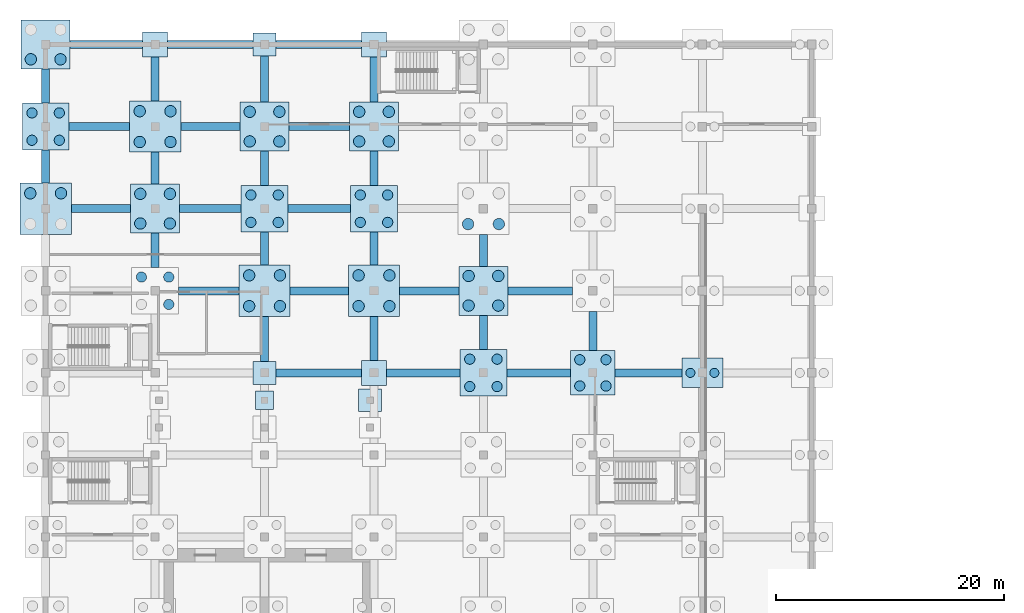
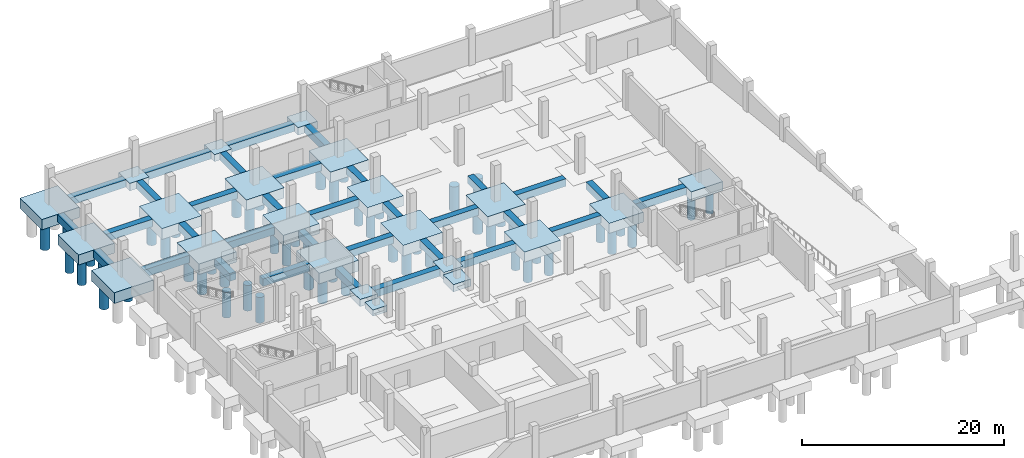
# One storey, part 3 of 13: 59 piles, 55 footings.
"""IFC4 building model written with IfcOpenShell, lengths in metres."""

from ifc_helpers import new_model, si_unit, direction, frame, origin, origin_2d, place, context, subcontext, project, spatial, rectangle, circle, extrude, material, material_profile, profile_set, type_object, element, save


model = new_model("IFC4")

# Units and contexts
model_context = context("Model", 3, precision=1e-05, world=origin(), true_north=direction((0.0, 1.0)))
body_context = subcontext(model_context, "Body", "Model", "MODEL_VIEW")
ifc_project = project(units=[si_unit("LENGTHUNIT", "METRE"), si_unit("AREAUNIT", "SQUARE_METRE"), si_unit("VOLUMEUNIT", "CUBIC_METRE"), si_unit("PLANEANGLEUNIT", "RADIAN"), si_unit("MASSUNIT", "GRAM", prefix="KILO")], contexts=[model_context])

# Site, building, storey
site_placement = place(None, origin())
site = spatial("IfcSite", under=ifc_project, at=site_placement, CompositionType="ELEMENT")
building_placement = place(site_placement, origin())
building = spatial("IfcBuilding", under=site, at=building_placement, Name="Asteropetra Specialist Clinic", CompositionType="ELEMENT")
storey_placement = place(building_placement, frame((0.0, 0.0, -4.419921875)))
storey = spatial("IfcBuildingStorey", under=building, at=storey_placement, Name="B1", CompositionType="ELEMENT", Elevation=-4.419921875)

# Footings
ifc_material_1 = material(Name="Concrete C35/45", Category="concrete")
ifc_material_profile_1 = material_profile(ifc_material_1, rectangle(XDim=0.699951171875, YDim=0.89990234375, at=origin_2d()), Name="FB 700x900")
ifc_profile_set_1 = profile_set([ifc_material_profile_1], Name="Concrete C35/45")
footing_type_1 = type_object("IfcFootingType", Name="FB-700x900", PredefinedType="FOOTING_BEAM", material=ifc_profile_set_1)
footing_1_placement = place(storey_placement, frame((2.25, 48.0, -0.4501953125), z_axis=(1.0, 0.0, 0.0), x_axis=(0.0, 1.0, 0.0)))
element("IfcFooting", 1, at=footing_1_placement, inside=storey, type_object=footing_type_1, Name="Footing Tie Beam FB-0015", PredefinedType="FOOTING_BEAM", context=body_context, shape_type="SweptSolid", body=[
    extrude(rectangle(XDim=0.699951171875, YDim=0.89990234375, at=origin_2d()), origin(), (0.0, 0.0, 1.0), 5.199951171875),
])
footing_2_placement = place(storey_placement, frame((0.0, 50.25, -0.4501953125), z_axis=(0.0, 1.0, 0.0), x_axis=(-1.0, 0.0, 0.0)))
element("IfcFooting", 2, at=footing_2_placement, inside=storey, type_object=footing_type_1, Name="Footing Tie Beam FB-0016", PredefinedType="FOOTING_BEAM", context=body_context, shape_type="SweptSolid", body=[
    extrude(rectangle(XDim=0.699951171875, YDim=0.89990234375, at=origin_2d()), origin(), (0.0, 0.0, 1.0), 2.89990234375),
])
footing_3_placement = place(storey_placement, frame((2.050048828125, 55.199951171875, -0.4501953125), z_axis=(1.0, 0.0, 0.0), x_axis=(0.0, 1.0, 0.0)))
element("IfcFooting", 3, at=footing_3_placement, inside=storey, type_object=footing_type_1, Name="Footing Tie Beam FB-0017", PredefinedType="FOOTING_BEAM", context=body_context, shape_type="SweptSolid", body=[
    extrude(rectangle(XDim=0.699951171875, YDim=0.89990234375, at=origin_2d()), origin(), (0.0, 0.0, 1.0), 5.300048828125),
])
footing_4_placement = place(storey_placement, frame((0.0, 57.25, -0.4501953125), z_axis=(0.0, 1.0, 0.0), x_axis=(-1.0, 0.0, 0.0)))
element("IfcFooting", 4, at=footing_4_placement, inside=storey, type_object=footing_type_1, Name="Footing Tie Beam FB-0018", PredefinedType="FOOTING_BEAM", context=body_context, shape_type="SweptSolid", body=[
    extrude(rectangle(XDim=0.699951171875, YDim=0.89990234375, at=origin_2d()), origin(), (0.0, 0.0, 1.0), 3.0),
])
footing_5_placement = place(storey_placement, frame((2.14990234375, 62.39990234375, -0.4501953125), z_axis=(1.0, 0.0, 0.0), x_axis=(0.0, 1.0, 0.0)))
element("IfcFooting", 5, at=footing_5_placement, inside=storey, type_object=footing_type_1, Name="Footing Tie Beam FB-0019", PredefinedType="FOOTING_BEAM", context=body_context, shape_type="SweptSolid", body=[
    extrude(rectangle(XDim=0.699951171875, YDim=0.89990234375, at=origin_2d()), origin(), (0.0, 0.0, 1.0), 6.35009765625),
])
footing_6_placement = place(storey_placement, frame((11.64990234375, 40.800048828125, -0.4501953125), z_axis=(1.0, 0.0, 0.0), x_axis=(0.0, 1.0, 0.0)))
element("IfcFooting", 6, at=footing_6_placement, inside=storey, type_object=footing_type_1, Name="Footing Tie Beam FB-0045", PredefinedType="FOOTING_BEAM", context=body_context, shape_type="SweptSolid", body=[
    extrude(rectangle(XDim=0.699951171875, YDim=0.89990234375, at=origin_2d()), origin(), (0.0, 0.0, 1.0), 5.300048828125),
])
footing_7_placement = place(storey_placement, frame((9.60009765625, 42.85009765625, -0.4501953125), z_axis=(0.0, 1.0, 0.0), x_axis=(-1.0, 0.0, 0.0)))
element("IfcFooting", 7, at=footing_7_placement, inside=storey, type_object=footing_type_1, Name="Footing Tie Beam FB-0046", PredefinedType="FOOTING_BEAM", context=body_context, shape_type="SweptSolid", body=[
    extrude(rectangle(XDim=0.699951171875, YDim=0.89990234375, at=origin_2d()), origin(), (0.0, 0.0, 1.0), 3.0),
])
footing_8_placement = place(storey_placement, frame((11.75, 48.0, -0.4501953125), z_axis=(1.0, 0.0, 0.0), x_axis=(0.0, 1.0, 0.0)))
element("IfcFooting", 8, at=footing_8_placement, inside=storey, type_object=footing_type_1, Name="Footing Tie Beam FB-0047", PredefinedType="FOOTING_BEAM", context=body_context, shape_type="SweptSolid", body=[
    extrude(rectangle(XDim=0.699951171875, YDim=0.89990234375, at=origin_2d()), origin(), (0.0, 0.0, 1.0), 5.39990234375),
])
footing_9_placement = place(storey_placement, frame((9.60009765625, 50.14990234375, -0.4501953125), z_axis=(0.0, 1.0, 0.0), x_axis=(-1.0, 0.0, 0.0)))
element("IfcFooting", 9, at=footing_9_placement, inside=storey, type_object=footing_type_1, Name="Footing Tie Beam FB-0048", PredefinedType="FOOTING_BEAM", context=body_context, shape_type="SweptSolid", body=[
    extrude(rectangle(XDim=0.699951171875, YDim=0.89990234375, at=origin_2d()), origin(), (0.0, 0.0, 1.0), 2.800048828125),
])
footing_10_placement = place(storey_placement, frame((11.85009765625, 55.199951171875, -0.4501953125), z_axis=(1.0, 0.0, 0.0), x_axis=(0.0, 1.0, 0.0)))
element("IfcFooting", 10, at=footing_10_placement, inside=storey, type_object=footing_type_1, Name="Footing Tie Beam FB-0049", PredefinedType="FOOTING_BEAM", context=body_context, shape_type="SweptSolid", body=[
    extrude(rectangle(XDim=0.699951171875, YDim=0.89990234375, at=origin_2d()), origin(), (0.0, 0.0, 1.0), 5.199951171875),
])
footing_11_placement = place(storey_placement, frame((9.60009765625, 57.449951171875, -0.4501953125), z_axis=(0.0, 1.0, 0.0), x_axis=(-1.0, 0.0, 0.0)))
element("IfcFooting", 11, at=footing_11_placement, inside=storey, type_object=footing_type_1, Name="Footing Tie Beam FB-0050", PredefinedType="FOOTING_BEAM", context=body_context, shape_type="SweptSolid", body=[
    extrude(rectangle(XDim=0.699951171875, YDim=0.89990234375, at=origin_2d()), origin(), (0.0, 0.0, 1.0), 3.85009765625),
])
for number, where, z_axis, x_axis, name in (
    (12, (10.699951171875, 62.39990234375, -0.4501953125), (1.0, 0.0, 0.0), (0.0, 1.0, 0.0), "Footing Tie Beam FB-0051"),
    (13, (20.199951171875, 33.60009765625, -0.4501953125), (1.0, 0.0, 0.0), (0.0, 1.0, 0.0), "Footing Tie Beam FB-0073"),
):
    element("IfcFooting", number, at=place(storey_placement, frame(where, z_axis=z_axis, x_axis=x_axis)), inside=storey, type_object=footing_type_1, Name=name, PredefinedType="FOOTING_BEAM", context=body_context, shape_type="SweptSolid", body=[
        extrude(rectangle(XDim=0.699951171875, YDim=0.89990234375, at=origin_2d()), origin(), (0.0, 0.0, 1.0), 7.5),
    ])
footing_12_placement = place(storey_placement, frame((19.199951171875, 34.60009765625, -0.4501953125), z_axis=(0.0, 1.0, 0.0), x_axis=(-1.0, 0.0, 0.0)))
element("IfcFooting", 14, at=footing_12_placement, inside=storey, type_object=footing_type_1, Name="Footing Tie Beam FB-0074", PredefinedType="FOOTING_BEAM", context=body_context, shape_type="SweptSolid", body=[
    extrude(rectangle(XDim=0.699951171875, YDim=0.89990234375, at=origin_2d()), origin(), (0.0, 0.0, 1.0), 3.949951171875),
])
footing_13_placement = place(storey_placement, frame((21.449951171875, 40.800048828125, -0.4501953125), z_axis=(1.0, 0.0, 0.0), x_axis=(0.0, 1.0, 0.0)))
element("IfcFooting", 15, at=footing_13_placement, inside=storey, type_object=footing_type_1, Name="Footing Tie Beam FB-0075", PredefinedType="FOOTING_BEAM", context=body_context, shape_type="SweptSolid", body=[
    extrude(rectangle(XDim=0.699951171875, YDim=0.89990234375, at=origin_2d()), origin(), (0.0, 0.0, 1.0), 5.10009765625),
])
footing_14_placement = place(storey_placement, frame((19.199951171875, 43.050048828125, -0.4501953125), z_axis=(0.0, 1.0, 0.0), x_axis=(-1.0, 0.0, 0.0)))
element("IfcFooting", 16, at=footing_14_placement, inside=storey, type_object=footing_type_1, Name="Footing Tie Beam FB-0076", PredefinedType="FOOTING_BEAM", context=body_context, shape_type="SweptSolid", body=[
    extrude(rectangle(XDim=0.699951171875, YDim=0.89990234375, at=origin_2d()), origin(), (0.0, 0.0, 1.0), 2.89990234375),
])
footing_15_placement = place(storey_placement, frame((21.25, 48.0, -0.4501953125), z_axis=(1.0, 0.0, 0.0), x_axis=(0.0, 1.0, 0.0)))
element("IfcFooting", 17, at=footing_15_placement, inside=storey, type_object=footing_type_1, Name="Footing Tie Beam FB-0077", PredefinedType="FOOTING_BEAM", context=body_context, shape_type="SweptSolid", body=[
    extrude(rectangle(XDim=0.699951171875, YDim=0.89990234375, at=origin_2d()), origin(), (0.0, 0.0, 1.0), 5.5),
])
footing_16_placement = place(storey_placement, frame((19.199951171875, 50.050048828125, -0.4501953125), z_axis=(0.0, 1.0, 0.0), x_axis=(-1.0, 0.0, 0.0)))
element("IfcFooting", 18, at=footing_16_placement, inside=storey, type_object=footing_type_1, Name="Footing Tie Beam FB-0078", PredefinedType="FOOTING_BEAM", context=body_context, shape_type="SweptSolid", body=[
    extrude(rectangle(XDim=0.699951171875, YDim=0.89990234375, at=origin_2d()), origin(), (0.0, 0.0, 1.0), 3.0),
])
footing_17_placement = place(storey_placement, frame((21.35009765625, 55.199951171875, -0.4501953125), z_axis=(1.0, 0.0, 0.0), x_axis=(0.0, 1.0, 0.0)))
element("IfcFooting", 19, at=footing_17_placement, inside=storey, type_object=footing_type_1, Name="Footing Tie Beam FB-0079", PredefinedType="FOOTING_BEAM", context=body_context, shape_type="SweptSolid", body=[
    extrude(rectangle(XDim=0.699951171875, YDim=0.89990234375, at=origin_2d()), origin(), (0.0, 0.0, 1.0), 5.2998046875),
])
footing_18_placement = place(storey_placement, frame((19.199951171875, 57.35009765625, -0.4501953125), z_axis=(0.0, 1.0, 0.0), x_axis=(-1.0, 0.0, 0.0)))
element("IfcFooting", 20, at=footing_18_placement, inside=storey, type_object=footing_type_1, Name="Footing Tie Beam FB-0080", PredefinedType="FOOTING_BEAM", context=body_context, shape_type="SweptSolid", body=[
    extrude(rectangle(XDim=0.699951171875, YDim=0.89990234375, at=origin_2d()), origin(), (0.0, 0.0, 1.0), 4.0498046875),
])
footing_19_placement = place(storey_placement, frame((20.199951171875, 62.39990234375, -0.4501953125), z_axis=(1.0, 0.0, 0.0), x_axis=(0.0, 1.0, 0.0)))
element("IfcFooting", 21, at=footing_19_placement, inside=storey, type_object=footing_type_1, Name="Footing Tie Beam FB-0081", PredefinedType="FOOTING_BEAM", context=body_context, shape_type="SweptSolid", body=[
    extrude(rectangle(XDim=0.699951171875, YDim=0.89990234375, at=origin_2d()), origin(), (0.0, 0.0, 1.0), 7.5),
])
footing_20_placement = place(storey_placement, frame((29.89990234375, 33.60009765625, -0.4501953125), z_axis=(1.0, 0.0, 0.0), x_axis=(0.0, 1.0, 0.0)))
element("IfcFooting", 22, at=footing_20_placement, inside=storey, type_object=footing_type_1, Name="Footing Tie Beam FB-0100", PredefinedType="FOOTING_BEAM", context=body_context, shape_type="SweptSolid", body=[
    extrude(rectangle(XDim=0.699951171875, YDim=0.89990234375, at=origin_2d()), origin(), (0.0, 0.0, 1.0), 6.4501953125),
])
footing_21_placement = place(storey_placement, frame((28.800048828125, 34.699951171875, -0.4501953125), z_axis=(0.0, 1.0, 0.0), x_axis=(-1.0, 0.0, 0.0)))
element("IfcFooting", 23, at=footing_21_placement, inside=storey, type_object=footing_type_1, Name="Footing Tie Beam FB-0101", PredefinedType="FOOTING_BEAM", context=body_context, shape_type="SweptSolid", body=[
    extrude(rectangle(XDim=0.699951171875, YDim=0.89990234375, at=origin_2d()), origin(), (0.0, 0.0, 1.0), 3.85009765625),
])
footing_22_placement = place(storey_placement, frame((31.050048828125, 40.800048828125, -0.4501953125), z_axis=(1.0, 0.0, 0.0), x_axis=(0.0, 1.0, 0.0)))
element("IfcFooting", 24, at=footing_22_placement, inside=storey, type_object=footing_type_1, Name="Footing Tie Beam FB-0102", PredefinedType="FOOTING_BEAM", context=body_context, shape_type="SweptSolid", body=[
    extrude(rectangle(XDim=0.699951171875, YDim=0.89990234375, at=origin_2d()), origin(), (0.0, 0.0, 1.0), 5.199951171875),
])
footing_23_placement = place(storey_placement, frame((28.800048828125, 43.050048828125, -0.4501953125), z_axis=(0.0, 1.0, 0.0), x_axis=(-1.0, 0.0, 0.0)))
element("IfcFooting", 25, at=footing_23_placement, inside=storey, type_object=footing_type_1, Name="Footing Tie Beam FB-0103", PredefinedType="FOOTING_BEAM", context=body_context, shape_type="SweptSolid", body=[
    extrude(rectangle(XDim=0.699951171875, YDim=0.89990234375, at=origin_2d()), origin(), (0.0, 0.0, 1.0), 2.89990234375),
])
footing_24_placement = place(storey_placement, frame((28.800048828125, 50.050048828125, -0.4501953125), z_axis=(0.0, 1.0, 0.0), x_axis=(-1.0, 0.0, 0.0)))
element("IfcFooting", 26, at=footing_24_placement, inside=storey, type_object=footing_type_1, Name="Footing Tie Beam FB-0105", PredefinedType="FOOTING_BEAM", context=body_context, shape_type="SweptSolid", body=[
    extrude(rectangle(XDim=0.699951171875, YDim=0.89990234375, at=origin_2d()), origin(), (0.0, 0.0, 1.0), 3.0),
])
footing_25_placement = place(storey_placement, frame((28.800048828125, 57.35009765625, -0.4501953125), z_axis=(0.0, 1.0, 0.0), x_axis=(-1.0, 0.0, 0.0)))
element("IfcFooting", 27, at=footing_25_placement, inside=storey, type_object=footing_type_1, Name="Footing Tie Beam FB-0107", PredefinedType="FOOTING_BEAM", context=body_context, shape_type="SweptSolid", body=[
    extrude(rectangle(XDim=0.699951171875, YDim=0.89990234375, at=origin_2d()), origin(), (0.0, 0.0, 1.0), 3.949951171875),
])
footing_26_placement = place(storey_placement, frame((40.449951171875, 33.60009765625, -0.4501953125), z_axis=(1.0, 0.0, 0.0), x_axis=(0.0, 1.0, 0.0)))
element("IfcFooting", 28, at=footing_26_placement, inside=storey, type_object=footing_type_1, Name="Footing Tie Beam FB-0132", PredefinedType="FOOTING_BEAM", context=body_context, shape_type="SweptSolid", body=[
    extrude(rectangle(XDim=0.699951171875, YDim=0.89990234375, at=origin_2d()), origin(), (0.0, 0.0, 1.0), 5.60009765625),
])
footing_27_placement = place(storey_placement, frame((38.39990234375, 35.64990234375, -0.4501953125), z_axis=(0.0, 1.0, 0.0), x_axis=(-1.0, 0.0, 0.0)))
element("IfcFooting", 29, at=footing_27_placement, inside=storey, type_object=footing_type_1, Name="Footing Tie Beam FB-0133", PredefinedType="FOOTING_BEAM", context=body_context, shape_type="SweptSolid", body=[
    extrude(rectangle(XDim=0.699951171875, YDim=0.89990234375, at=origin_2d()), origin(), (0.0, 0.0, 1.0), 3.0),
])
footing_28_placement = place(storey_placement, frame((40.550048828125, 40.800048828125, -0.4501953125), z_axis=(1.0, 0.0, 0.0), x_axis=(0.0, 1.0, 0.0)))
element("IfcFooting", 30, at=footing_28_placement, inside=storey, type_object=footing_type_1, Name="Footing Tie Beam FB-0134", PredefinedType="FOOTING_BEAM", context=body_context, shape_type="SweptSolid", body=[
    extrude(rectangle(XDim=0.699951171875, YDim=0.89990234375, at=origin_2d()), origin(), (0.0, 0.0, 1.0), 5.64990234375),
])
footing_29_placement = place(storey_placement, frame((38.39990234375, 42.949951171875, -0.4501953125), z_axis=(0.0, 1.0, 0.0), x_axis=(-1.0, 0.0, 0.0)))
element("IfcFooting", 31, at=footing_29_placement, inside=storey, type_object=footing_type_1, Name="Footing Tie Beam FB-0135", PredefinedType="FOOTING_BEAM", context=body_context, shape_type="SweptSolid", body=[
    extrude(rectangle(XDim=0.699951171875, YDim=0.89990234375, at=origin_2d()), origin(), (0.0, 0.0, 1.0), 2.800048828125),
])
footing_30_placement = place(storey_placement, frame((49.949951171875, 33.60009765625, -0.4501953125), z_axis=(1.0, 0.0, 0.0), x_axis=(0.0, 1.0, 0.0)))
element("IfcFooting", 32, at=footing_30_placement, inside=storey, type_object=footing_type_1, Name="Footing Tie Beam FB-0164", PredefinedType="FOOTING_BEAM", context=body_context, shape_type="SweptSolid", body=[
    extrude(rectangle(XDim=0.699951171875, YDim=0.89990234375, at=origin_2d()), origin(), (0.0, 0.0, 1.0), 5.85009765625),
])
footing_31_placement = place(storey_placement, frame((48.0, 35.550048828125, -0.4501953125), z_axis=(0.0, 1.0, 0.0), x_axis=(-1.0, 0.0, 0.0)))
element("IfcFooting", 33, at=footing_31_placement, inside=storey, type_object=footing_type_1, Name="Footing Tie Beam FB-0165", PredefinedType="FOOTING_BEAM", context=body_context, shape_type="SweptSolid", body=[
    extrude(rectangle(XDim=0.699951171875, YDim=0.89990234375, at=origin_2d()), origin(), (0.0, 0.0, 1.0), 3.449951171875),
])
ifc_material_2 = material(Name="Concrete C35/45", Category="concrete")
footing_type_2 = type_object("IfcFootingType", Name="PC-2600", PredefinedType="PILE_CAP", material=ifc_material_2)
footing_32_placement = place(storey_placement, frame((57.60009765625, 33.60009765625, -1.10009765625), z_axis=(0.0, 0.0, 1.0), x_axis=(1.0, 0.0, 0.0)))
element("IfcFooting", 34, at=footing_32_placement, inside=storey, type_object=footing_type_2, Name="Pile Cap PC-01-118", PredefinedType="PILE_CAP", context=body_context, shape_type="SweptSolid", body=[
    extrude(rectangle(XDim=3.60009765625, YDim=2.60009765625, at=origin_2d()), origin(), (0.0, 0.0, 1.0), 1.10009765625),
])
ifc_material_3 = material(Name="Concrete C35/45", Category="concrete")
footing_type_3 = type_object("IfcFootingType", Name="PC-3000", PredefinedType="PILE_CAP", material=ifc_material_3)
footing_33_placement = place(storey_placement, frame((48.0, 33.60009765625, -1.2001953125), z_axis=(0.0, 0.0, 1.0), x_axis=(1.0, 0.0, 0.0)))
element("IfcFooting", 35, at=footing_33_placement, inside=storey, type_object=footing_type_3, Name="Pile Cap PC-03-101", PredefinedType="PILE_CAP", context=body_context, shape_type="SweptSolid", body=[
    extrude(rectangle(XDim=3.89990234375, YDim=3.89990234375, at=origin_2d()), origin(), (0.0, 0.0, 1.0), 1.199951171875),
])
ifc_material_4 = material(Name="Concrete C35/45", Category="concrete")
footing_type_4 = type_object("IfcFootingType", Name="PC-3200", PredefinedType="PILE_CAP", material=ifc_material_4)
for number, where, z_axis, x_axis, name in (
    (36, (0.0, 55.199951171875, -1.2001953125), (0.0, 0.0, 1.0), (1.0, 0.0, 0.0), "Pile Cap PC-04-009"),
    (37, (19.199951171875, 48.0, -1.2001953125), (0.0, 0.0, 1.0), (1.0, 0.0, 0.0), "Pile Cap PC-04-048"),
    (38, (28.800048828125, 48.0, -1.2001953125), (0.0, 0.0, 1.0), (1.0, 0.0, 0.0), "Pile Cap PC-04-069"),
    (39, (38.39990234375, 33.60009765625, -1.2001953125), (0.0, 0.0, 1.0), (1.0, 0.0, 0.0), "Pile Cap PC-04-084"),
):
    element("IfcFooting", number, at=place(storey_placement, frame(where, z_axis=z_axis, x_axis=x_axis)), inside=storey, type_object=footing_type_4, Name=name, PredefinedType="PILE_CAP", context=body_context, shape_type="SweptSolid", body=[
        extrude(rectangle(XDim=4.10009765625, YDim=4.10009765625, at=origin_2d()), origin(), (0.0, 0.0, 1.0), 1.199951171875),
    ])
ifc_material_5 = material(Name="Concrete C35/45", Category="concrete")
footing_type_5 = type_object("IfcFootingType", Name="PC-3400", PredefinedType="PILE_CAP", material=ifc_material_5)
for number, where, z_axis, x_axis, name in (
    (40, (0.0, 62.39990234375, -1.25), (0.0, 0.0, 1.0), (1.0, 0.0, 0.0), "Pile Cap PC-05-010"),
    (41, (9.60009765625, 48.0, -1.25), (0.0, 0.0, 1.0), (1.0, 0.0, 0.0), "Pile Cap PC-05-025"),
    (42, (19.199951171875, 55.199951171875, -1.25), (0.0, 0.0, 1.0), (1.0, 0.0, 0.0), "Pile Cap PC-05-049"),
    (43, (28.800048828125, 55.199951171875, -1.25), (0.0, 0.0, 1.0), (1.0, 0.0, 0.0), "Pile Cap PC-05-070"),
    (44, (38.39990234375, 40.800048828125, -1.25), (0.0, 0.0, 1.0), (1.0, 0.0, 0.0), "Pile Cap PC-05-085"),
):
    element("IfcFooting", number, at=place(storey_placement, frame(where, z_axis=z_axis, x_axis=x_axis)), inside=storey, type_object=footing_type_5, Name=name, PredefinedType="PILE_CAP", context=body_context, shape_type="SweptSolid", body=[
        extrude(rectangle(XDim=4.300048828125, YDim=4.300048828125, at=origin_2d()), origin(), (0.0, 0.0, 1.0), 1.25),
    ])
ifc_material_6 = material(Name="Concrete C35/45", Category="concrete")
footing_type_6 = type_object("IfcFootingType", Name="PC-3600", PredefinedType="PILE_CAP", material=ifc_material_6)
for number, where, z_axis, x_axis, name in (
    (45, (0.0, 48.0, -1.30029296875), (0.0, 0.0, 1.0), (1.0, 0.0, 0.0), "Pile Cap PC-06-008"),
    (46, (9.60009765625, 55.199951171875, -1.30029296875), (0.0, 0.0, 1.0), (1.0, 0.0, 0.0), "Pile Cap PC-06-026"),
    (47, (19.199951171875, 40.800048828125, -1.30029296875), (0.0, 0.0, 1.0), (1.0, 0.0, 0.0), "Pile Cap PC-06-047"),
    (48, (28.800048828125, 40.800048828125, -1.30029296875), (0.0, 0.0, 1.0), (1.0, 0.0, 0.0), "Pile Cap PC-06-068"),
):
    element("IfcFooting", number, at=place(storey_placement, frame(where, z_axis=z_axis, x_axis=x_axis)), inside=storey, type_object=footing_type_6, Name=name, PredefinedType="PILE_CAP", context=body_context, shape_type="SweptSolid", body=[
        extrude(rectangle(XDim=4.5, YDim=4.5, at=origin_2d()), origin(), (0.0, 0.0, 1.0), 1.300048828125),
    ])
ifc_material_7 = material(Name="Concrete C35/45", Category="concrete")
footing_type_7 = type_object("IfcFootingType", Name="PF-1600", PredefinedType="PAD_FOOTING", material=ifc_material_7)
footing_34_placement = place(storey_placement, frame((19.199951171875, 31.199951171875, -0.75), z_axis=(0.0, 0.0, 1.0), x_axis=(1.0, 0.0, 0.0)))
element("IfcFooting", 49, at=footing_34_placement, inside=storey, type_object=footing_type_7, Name="Pad Footing PF-01-045", PredefinedType="PAD_FOOTING", context=body_context, shape_type="SweptSolid", body=[
    extrude(rectangle(XDim=1.60009765625, YDim=1.60009765625, at=origin_2d()), origin(), (0.0, 0.0, 1.0), 0.75),
])
ifc_material_8 = material(Name="Concrete C35/45", Category="concrete")
footing_type_8 = type_object("IfcFootingType", Name="PF-2000", PredefinedType="PAD_FOOTING", material=ifc_material_8)
for number, where, z_axis, x_axis, name in (
    (50, (19.199951171875, 33.60009765625, -0.85009765625), (0.0, 0.0, 1.0), (1.0, 0.0, 0.0), "Pad Footing PF-03-046"),
    (51, (19.199951171875, 62.39990234375, -0.85009765625), (0.0, 0.0, 1.0), (1.0, 0.0, 0.0), "Pad Footing PF-03-050"),
    (52, (28.449951171875, 31.199951171875, -0.85009765625), (0.0, 0.0, 1.0), (1.0, 0.0, 0.0), "Pad Footing PF-03-059"),
):
    element("IfcFooting", number, at=place(storey_placement, frame(where, z_axis=z_axis, x_axis=x_axis)), inside=storey, type_object=footing_type_8, Name=name, PredefinedType="PAD_FOOTING", context=body_context, shape_type="SweptSolid", body=[
        extrude(rectangle(XDim=2.0, YDim=2.0, at=origin_2d()), origin(), (0.0, 0.0, 1.0), 0.85009765625),
    ])
ifc_material_9 = material(Name="Concrete C35/45", Category="concrete")
footing_type_9 = type_object("IfcFootingType", Name="PF-2200", PredefinedType="PAD_FOOTING", material=ifc_material_9)
for number, where, z_axis, x_axis, name in (
    (53, (9.60009765625, 62.39990234375, -0.900146484375), (0.0, 0.0, 1.0), (1.0, 0.0, 0.0), "Pad Footing PF-04-027"),
    (54, (28.800048828125, 33.60009765625, -0.900146484375), (0.0, 0.0, 1.0), (1.0, 0.0, 0.0), "Pad Footing PF-04-067"),
    (55, (28.800048828125, 62.39990234375, -0.900146484375), (0.0, 0.0, 1.0), (1.0, 0.0, 0.0), "Pad Footing PF-04-071"),
):
    element("IfcFooting", number, at=place(storey_placement, frame(where, z_axis=z_axis, x_axis=x_axis)), inside=storey, type_object=footing_type_9, Name=name, PredefinedType="PAD_FOOTING", context=body_context, shape_type="SweptSolid", body=[
        extrude(rectangle(XDim=2.199951171875, YDim=2.199951171875, at=origin_2d()), origin(), (0.0, 0.0, 1.0), 0.89990234375),
    ])

# Piles
ifc_material_10 = material(Name="Concrete C35/45", Category="concrete")
ifc_material_profile_2 = material_profile(ifc_material_10, circle(Radius=0.5, at=origin_2d()), Name="PILE D1000")
ifc_profile_set_2 = profile_set([ifc_material_profile_2], Name="Concrete C35/45")
pile_type_1 = type_object("IfcPileType", Name="PILE-B1000", PredefinedType="BORED", material=ifc_profile_set_2)
for number, where, z_axis, x_axis, name in (
    (56, (-1.35009765625, 49.35009765625, -1.2001953125), (0.0, 0.0, -1.0), (1.0, 0.0, 0.0), "Bored Pile PPL03-008-3"),
    (57, (1.35009765625, 49.35009765625, -1.2001953125), (0.0, 0.0, -1.0), (1.0, 0.0, 0.0), "Bored Pile PPL03-008-4"),
):
    element("IfcPile", number, at=place(storey_placement, frame(where, z_axis=z_axis, x_axis=x_axis)), inside=storey, type_object=pile_type_1, Name=name, PredefinedType="BORED", context=body_context, shape_type="SweptSolid", body=[
        extrude(circle(Radius=0.5, at=origin_2d()), origin(), (0.0, 0.0, 1.0), 3.0),
    ])
for number, where, z_axis, x_axis, name in (
    (58, (-1.300048828125, 61.10009765625, -1.150146484375), (0.0, 0.0, -1.0), (1.0, 0.0, 0.0), "Bored Pile PPL03-010-1"),
    (59, (1.300048828125, 61.10009765625, -1.150146484375), (0.0, 0.0, -1.0), (1.0, 0.0, 0.0), "Bored Pile PPL03-010-2"),
    (60, (8.300048828125, 46.699951171875, -1.150146484375), (0.0, 0.0, -1.0), (1.0, 0.0, 0.0), "Bored Pile PPL03-025-1"),
    (61, (10.89990234375, 46.699951171875, -1.150146484375), (0.0, 0.0, -1.0), (1.0, 0.0, 0.0), "Bored Pile PPL03-025-2"),
    (62, (8.300048828125, 49.300048828125, -1.150146484375), (0.0, 0.0, -1.0), (1.0, 0.0, 0.0), "Bored Pile PPL03-025-3"),
    (63, (10.89990234375, 49.300048828125, -1.150146484375), (0.0, 0.0, -1.0), (1.0, 0.0, 0.0), "Bored Pile PPL03-025-4"),
):
    element("IfcPile", number, at=place(storey_placement, frame(where, z_axis=z_axis, x_axis=x_axis)), inside=storey, type_object=pile_type_1, Name=name, PredefinedType="BORED", context=body_context, shape_type="SweptSolid", body=[
        extrude(circle(Radius=0.5, at=origin_2d()), origin(), (0.0, 0.0, 1.0), 3.050048828125),
    ])
for number, where, z_axis, x_axis, name in (
    (64, (8.25, 53.85009765625, -1.2001953125), (0.0, 0.0, -1.0), (1.0, 0.0, 0.0), "Bored Pile PPL03-026-1"),
    (65, (10.949951171875, 53.85009765625, -1.2001953125), (0.0, 0.0, -1.0), (1.0, 0.0, 0.0), "Bored Pile PPL03-026-2"),
    (66, (8.25, 56.550048828125, -1.2001953125), (0.0, 0.0, -1.0), (1.0, 0.0, 0.0), "Bored Pile PPL03-026-3"),
    (67, (10.949951171875, 56.550048828125, -1.2001953125), (0.0, 0.0, -1.0), (1.0, 0.0, 0.0), "Bored Pile PPL03-026-4"),
    (68, (17.85009765625, 39.449951171875, -1.2001953125), (0.0, 0.0, -1.0), (1.0, 0.0, 0.0), "Bored Pile PPL03-047-1"),
    (69, (20.550048828125, 39.449951171875, -1.2001953125), (0.0, 0.0, -1.0), (1.0, 0.0, 0.0), "Bored Pile PPL03-047-2"),
    (70, (17.85009765625, 42.14990234375, -1.2001953125), (0.0, 0.0, -1.0), (1.0, 0.0, 0.0), "Bored Pile PPL03-047-3"),
    (71, (20.550048828125, 42.14990234375, -1.2001953125), (0.0, 0.0, -1.0), (1.0, 0.0, 0.0), "Bored Pile PPL03-047-4"),
):
    element("IfcPile", number, at=place(storey_placement, frame(where, z_axis=z_axis, x_axis=x_axis)), inside=storey, type_object=pile_type_1, Name=name, PredefinedType="BORED", context=body_context, shape_type="SweptSolid", body=[
        extrude(circle(Radius=0.5, at=origin_2d()), origin(), (0.0, 0.0, 1.0), 3.0),
    ])
for number, where, z_axis, x_axis, name in (
    (72, (17.89990234375, 53.89990234375, -1.150146484375), (0.0, 0.0, -1.0), (1.0, 0.0, 0.0), "Bored Pile PPL03-049-1"),
    (73, (20.5, 53.89990234375, -1.150146484375), (0.0, 0.0, -1.0), (1.0, 0.0, 0.0), "Bored Pile PPL03-049-2"),
    (74, (17.89990234375, 56.5, -1.150146484375), (0.0, 0.0, -1.0), (1.0, 0.0, 0.0), "Bored Pile PPL03-049-3"),
    (75, (20.5, 56.5, -1.150146484375), (0.0, 0.0, -1.0), (1.0, 0.0, 0.0), "Bored Pile PPL03-049-4"),
):
    element("IfcPile", number, at=place(storey_placement, frame(where, z_axis=z_axis, x_axis=x_axis)), inside=storey, type_object=pile_type_1, Name=name, PredefinedType="BORED", context=body_context, shape_type="SweptSolid", body=[
        extrude(circle(Radius=0.5, at=origin_2d()), origin(), (0.0, 0.0, 1.0), 3.050048828125),
    ])
for number, where, z_axis, x_axis, name in (
    (76, (27.449951171875, 39.449951171875, -1.2001953125), (0.0, 0.0, -1.0), (1.0, 0.0, 0.0), "Bored Pile PPL03-068-1"),
    (77, (30.14990234375, 39.449951171875, -1.2001953125), (0.0, 0.0, -1.0), (1.0, 0.0, 0.0), "Bored Pile PPL03-068-2"),
    (78, (27.449951171875, 42.14990234375, -1.2001953125), (0.0, 0.0, -1.0), (1.0, 0.0, 0.0), "Bored Pile PPL03-068-3"),
    (79, (30.14990234375, 42.14990234375, -1.2001953125), (0.0, 0.0, -1.0), (1.0, 0.0, 0.0), "Bored Pile PPL03-068-4"),
):
    element("IfcPile", number, at=place(storey_placement, frame(where, z_axis=z_axis, x_axis=x_axis)), inside=storey, type_object=pile_type_1, Name=name, PredefinedType="BORED", context=body_context, shape_type="SweptSolid", body=[
        extrude(circle(Radius=0.5, at=origin_2d()), origin(), (0.0, 0.0, 1.0), 3.0),
    ])
for number, where, z_axis, x_axis, name in (
    (80, (27.5, 53.89990234375, -1.150146484375), (0.0, 0.0, -1.0), (1.0, 0.0, 0.0), "Bored Pile PPL03-070-1"),
    (81, (30.10009765625, 53.89990234375, -1.150146484375), (0.0, 0.0, -1.0), (1.0, 0.0, 0.0), "Bored Pile PPL03-070-2"),
    (82, (27.5, 56.5, -1.150146484375), (0.0, 0.0, -1.0), (1.0, 0.0, 0.0), "Bored Pile PPL03-070-3"),
    (83, (30.10009765625, 56.5, -1.150146484375), (0.0, 0.0, -1.0), (1.0, 0.0, 0.0), "Bored Pile PPL03-070-4"),
    (84, (37.10009765625, 39.5, -1.150146484375), (0.0, 0.0, -1.0), (1.0, 0.0, 0.0), "Bored Pile PPL03-085-1"),
    (85, (39.699951171875, 39.5, -1.150146484375), (0.0, 0.0, -1.0), (1.0, 0.0, 0.0), "Bored Pile PPL03-085-2"),
    (86, (37.10009765625, 42.10009765625, -1.150146484375), (0.0, 0.0, -1.0), (1.0, 0.0, 0.0), "Bored Pile PPL03-085-3"),
    (87, (39.699951171875, 42.10009765625, -1.150146484375), (0.0, 0.0, -1.0), (1.0, 0.0, 0.0), "Bored Pile PPL03-085-4"),
):
    element("IfcPile", number, at=place(storey_placement, frame(where, z_axis=z_axis, x_axis=x_axis)), inside=storey, type_object=pile_type_1, Name=name, PredefinedType="BORED", context=body_context, shape_type="SweptSolid", body=[
        extrude(circle(Radius=0.5, at=origin_2d()), origin(), (0.0, 0.0, 1.0), 3.050048828125),
    ])
for number, where, z_axis, x_axis, name in (
    (88, (37.050048828125, 46.64990234375, -1.2001953125), (0.0, 0.0, -1.0), (1.0, 0.0, 0.0), "Bored Pile PPL03-086-1"),
    (89, (39.75, 46.64990234375, -1.2001953125), (0.0, 0.0, -1.0), (1.0, 0.0, 0.0), "Bored Pile PPL03-086-2"),
):
    element("IfcPile", number, at=place(storey_placement, frame(where, z_axis=z_axis, x_axis=x_axis)), inside=storey, type_object=pile_type_1, Name=name, PredefinedType="BORED", context=body_context, shape_type="SweptSolid", body=[
        extrude(circle(Radius=0.5, at=origin_2d()), origin(), (0.0, 0.0, 1.0), 3.0),
    ])
ifc_material_11 = material(Name="Concrete C35/45", Category="concrete")
ifc_material_profile_3 = material_profile(ifc_material_11, circle(Radius=0.39990234375, at=origin_2d()), Name="PILE D800")
ifc_profile_set_3 = profile_set([ifc_material_profile_3], Name="Concrete C35/45")
pile_type_2 = type_object("IfcPileType", Name="PILE-B800", PredefinedType="BORED", material=ifc_profile_set_3)
for number, where, z_axis, x_axis, name in (
    (90, (56.550048828125, 33.60009765625, -1.0), (0.0, 0.0, -1.0), (1.0, 0.0, 0.0), "Bored Pile PPL01-118-1"),
    (91, (58.64990234375, 33.60009765625, -1.0), (0.0, 0.0, -1.0), (1.0, 0.0, 0.0), "Bored Pile PPL01-118-2"),
):
    element("IfcPile", number, at=place(storey_placement, frame(where, z_axis=z_axis, x_axis=x_axis)), inside=storey, type_object=pile_type_2, Name=name, PredefinedType="BORED", context=body_context, shape_type="SweptSolid", body=[
        extrude(circle(Radius=0.39990234375, at=origin_2d()), origin(), (0.0, 0.0, 1.0), 3.199951171875),
    ])
ifc_material_12 = material(Name="Concrete C35/45", Category="concrete")
ifc_material_profile_4 = material_profile(ifc_material_12, circle(Radius=0.449951171875, at=origin_2d()), Name="PILE D900")
ifc_profile_set_4 = profile_set([ifc_material_profile_4], Name="Concrete C35/45")
pile_type_3 = type_object("IfcPileType", Name="PILE-B900", PredefinedType="BORED", material=ifc_profile_set_4)
for number, where, z_axis, x_axis, name in (
    (92, (-1.199951171875, 54.0, -1.10009765625), (0.0, 0.0, -1.0), (1.0, 0.0, 0.0), "Bored Pile PPL02-009-1"),
    (93, (1.199951171875, 54.0, -1.10009765625), (0.0, 0.0, -1.0), (1.0, 0.0, 0.0), "Bored Pile PPL02-009-2"),
    (94, (-1.199951171875, 56.39990234375, -1.10009765625), (0.0, 0.0, -1.0), (1.0, 0.0, 0.0), "Bored Pile PPL02-009-3"),
    (95, (1.199951171875, 56.39990234375, -1.10009765625), (0.0, 0.0, -1.0), (1.0, 0.0, 0.0), "Bored Pile PPL02-009-4"),
    (96, (10.800048828125, 39.60009765625, -1.10009765625), (0.0, 0.0, -1.0), (1.0, 0.0, 0.0), "Bored Pile PPL02-024-2"),
    (97, (8.39990234375, 42.0, -1.10009765625), (0.0, 0.0, -1.0), (1.0, 0.0, 0.0), "Bored Pile PPL02-024-3"),
    (98, (10.800048828125, 42.0, -1.10009765625), (0.0, 0.0, -1.0), (1.0, 0.0, 0.0), "Bored Pile PPL02-024-4"),
    (99, (18.0, 46.800048828125, -1.10009765625), (0.0, 0.0, -1.0), (1.0, 0.0, 0.0), "Bored Pile PPL02-048-1"),
    (100, (20.39990234375, 46.800048828125, -1.10009765625), (0.0, 0.0, -1.0), (1.0, 0.0, 0.0), "Bored Pile PPL02-048-2"),
    (101, (18.0, 49.199951171875, -1.10009765625), (0.0, 0.0, -1.0), (1.0, 0.0, 0.0), "Bored Pile PPL02-048-3"),
    (102, (20.39990234375, 49.199951171875, -1.10009765625), (0.0, 0.0, -1.0), (1.0, 0.0, 0.0), "Bored Pile PPL02-048-4"),
    (103, (27.60009765625, 46.800048828125, -1.10009765625), (0.0, 0.0, -1.0), (1.0, 0.0, 0.0), "Bored Pile PPL02-069-1"),
    (104, (30.0, 46.800048828125, -1.10009765625), (0.0, 0.0, -1.0), (1.0, 0.0, 0.0), "Bored Pile PPL02-069-2"),
    (105, (27.60009765625, 49.199951171875, -1.10009765625), (0.0, 0.0, -1.0), (1.0, 0.0, 0.0), "Bored Pile PPL02-069-3"),
    (106, (30.0, 49.199951171875, -1.10009765625), (0.0, 0.0, -1.0), (1.0, 0.0, 0.0), "Bored Pile PPL02-069-4"),
    (107, (37.199951171875, 32.39990234375, -1.10009765625), (0.0, 0.0, -1.0), (1.0, 0.0, 0.0), "Bored Pile PPL02-084-1"),
    (108, (39.60009765625, 32.39990234375, -1.10009765625), (0.0, 0.0, -1.0), (1.0, 0.0, 0.0), "Bored Pile PPL02-084-2"),
    (109, (37.199951171875, 34.800048828125, -1.10009765625), (0.0, 0.0, -1.0), (1.0, 0.0, 0.0), "Bored Pile PPL02-084-3"),
    (110, (39.60009765625, 34.800048828125, -1.10009765625), (0.0, 0.0, -1.0), (1.0, 0.0, 0.0), "Bored Pile PPL02-084-4"),
    (111, (46.85009765625, 32.449951171875, -1.10009765625), (0.0, 0.0, -1.0), (1.0, 0.0, 0.0), "Bored Pile PPL02-101-1"),
    (112, (49.14990234375, 32.449951171875, -1.10009765625), (0.0, 0.0, -1.0), (1.0, 0.0, 0.0), "Bored Pile PPL02-101-2"),
    (113, (46.85009765625, 34.75, -1.10009765625), (0.0, 0.0, -1.0), (1.0, 0.0, 0.0), "Bored Pile PPL02-101-3"),
    (114, (49.14990234375, 34.75, -1.10009765625), (0.0, 0.0, -1.0), (1.0, 0.0, 0.0), "Bored Pile PPL02-101-4"),
):
    element("IfcPile", number, at=place(storey_placement, frame(where, z_axis=z_axis, x_axis=x_axis)), inside=storey, type_object=pile_type_3, Name=name, PredefinedType="BORED", context=body_context, shape_type="SweptSolid", body=[
        extrude(circle(Radius=0.449951171875, at=origin_2d()), origin(), (0.0, 0.0, 1.0), 3.10009765625),
    ])

save(model, "model.ifc")
